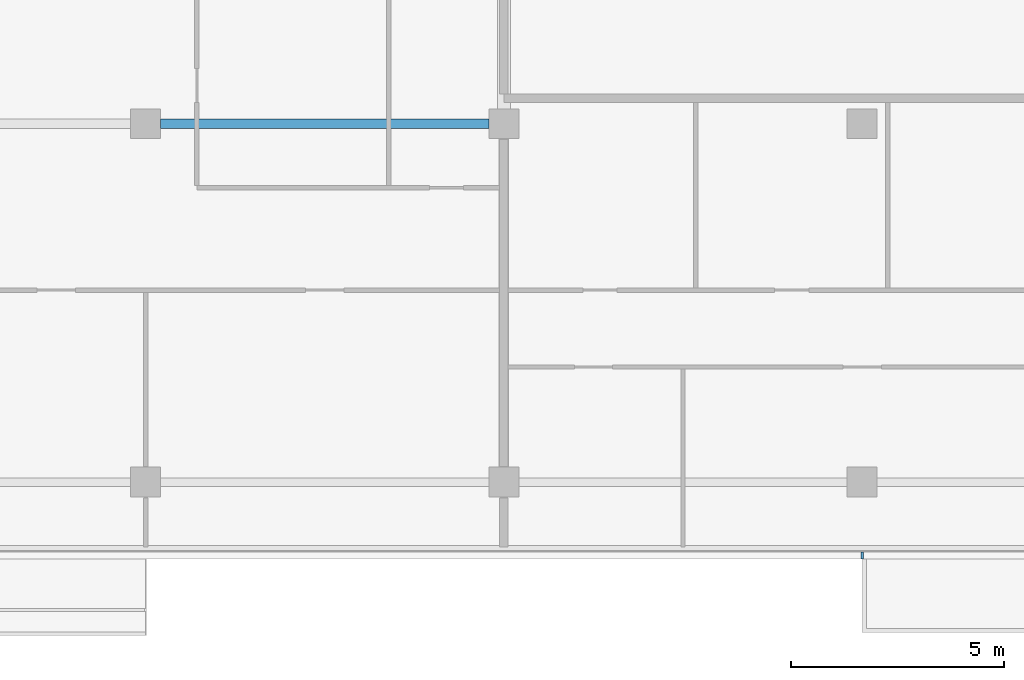
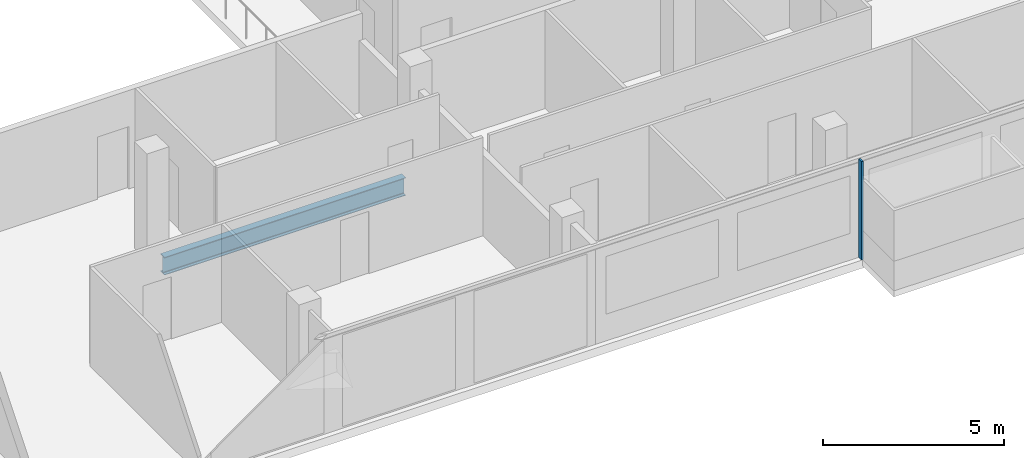
# One storey, part 6 of 28: 1 beam, 1 member, 1 element without a shape of its own.
"""IFC4 building model written with IfcOpenShell, lengths in metres."""

import ifcopenshell
import ifcopenshell.guid

model = None  # the IFC model being written
_history = None  # IfcOwnerHistory: only IFC2X3 demands one
_inside = {}  # id of a spatial element -> (the spatial element, [elements in it])
_under = {}  # id of a project, library or spatial element -> (it, [spatial elements below it])
_declared = {}  # id of a project -> (the project, [libraries it declares])
_typed = {}  # id of a type object -> (the type object, [elements of that type])
_made_of = {}  # id of a material, layer set ... -> (it, [elements and type objects made of it])


def new_model(schema):
    """Start an empty IFC model of exactly this schema.

    Asked for "IFC4X3", IfcOpenShell would pick the latest addendum, in which some entities
    have other attributes; the version numbers below select the first issue.
    IFC2X3 requires an IfcOwnerHistory on every rooted entity: one is made here for all.
    """
    global model, _history
    if schema == "IFC4X3":
        model = ifcopenshell.file(schema_version=(4, 3, 0, 0))
    else:
        model = ifcopenshell.file(schema=schema)
    _inside.clear()
    _under.clear()
    _declared.clear()
    _typed.clear()
    _made_of.clear()
    _history = None
    if model.schema == "IFC2X3":
        org = make("IfcOrganization", Name="unknown")
        user = make(
            "IfcPersonAndOrganization",
            ThePerson=make("IfcPerson", FamilyName="unknown"),
            TheOrganization=org,
        )
        app = make(
            "IfcApplication",
            ApplicationDeveloper=org,
            Version="unknown",
            ApplicationFullName="unknown",
            ApplicationIdentifier="unknown",
        )
        _history = make(
            "IfcOwnerHistory",
            OwningUser=user,
            OwningApplication=app,
            ChangeAction="ADDED",
            CreationDate=0,
        )
    return model


def make(cls, **values):
    """One entity of the class cls with the attributes given. An attribute that is None is left unset."""
    return model.create_entity(
        cls, **{name: value for name, value in values.items() if value is not None}
    )


def rooted(cls, **values):
    """An entity with a GlobalId (a new one), such as an element, a storey or a relation."""
    return make(cls, GlobalId=ifcopenshell.guid.new(), OwnerHistory=_history, **values)


def si_unit(unit_type, name, prefix=None):
    """IfcSIUnit, for example si_unit("LENGTHUNIT", "METRE", prefix="MILLI")."""
    return make("IfcSIUnit", UnitType=unit_type, Prefix=prefix, Name=name)


def assignment(units):
    """IfcUnitAssignment: the units of a project."""
    return None if units is None else make("IfcUnitAssignment", Units=units)


def point(xyz):
    """IfcCartesianPoint."""
    return None if xyz is None else make("IfcCartesianPoint", Coordinates=xyz)


def direction(xyz):
    """IfcDirection."""
    return None if xyz is None else make("IfcDirection", DirectionRatios=xyz)


def frame(location, z_axis=None, x_axis=None):
    """IfcAxis2Placement3D, a coordinate frame: its origin and axes. An axis left out is left unset."""
    return make(
        "IfcAxis2Placement3D",
        Location=point(location),
        Axis=direction(z_axis),
        RefDirection=direction(x_axis),
    )


def frame_2d(location, x_axis=None):
    """IfcAxis2Placement2D, a coordinate frame in the plane: its origin and x axis."""
    return make(
        "IfcAxis2Placement2D", Location=point(location), RefDirection=direction(x_axis)
    )


def origin():
    """The frame at (0, 0, 0) with its axes left unset."""
    return frame((0.0, 0.0, 0.0))


def origin_2d():
    """The frame at (0, 0) in the plane with its x axis left unset."""
    return frame_2d((0.0, 0.0))


def place(relative_to, where):
    """IfcLocalPlacement: puts the frame where relative to a parent placement (None: the world)."""
    return make(
        "IfcLocalPlacement", PlacementRelTo=relative_to, RelativePlacement=where
    )


def context(
    kind, dimensions, precision=None, world=None, true_north=None, identifier=None
):
    """IfcGeometricRepresentationContext, for example the 3D "Model" context."""
    return make(
        "IfcGeometricRepresentationContext",
        ContextIdentifier=identifier,
        ContextType=kind,
        CoordinateSpaceDimension=dimensions,
        Precision=precision,
        WorldCoordinateSystem=world,
        TrueNorth=true_north,
    )


def subcontext(parent, identifier, kind, view, scale=None):
    """IfcGeometricRepresentationSubContext, for example "Body" below "Model"."""
    return make(
        "IfcGeometricRepresentationSubContext",
        ContextIdentifier=identifier,
        ContextType=kind,
        ParentContext=parent,
        TargetScale=scale,
        TargetView=view,
    )


def project(units=None, contexts=None):
    """IfcProject with its units and contexts."""
    return rooted(
        "IfcProject",
        Name="project",
        RepresentationContexts=contexts,
        UnitsInContext=assignment(units),
    )


def spatial(cls, under=None, at=None, **own):
    """A site, building, storey or space (cls), placed at a placement, below another one or the project."""
    s = rooted(cls, ObjectPlacement=at, **own)
    if under is not None:
        _under.setdefault(under.id(), (under, []))[1].append(s)
    return s


def profile(cls, at=None, kind="AREA", **sizes):
    """A parametric profile (cls). Its sizes go by their IFC names, for example OverallWidth=200.0."""
    return make(cls, ProfileType=kind, Position=at, **sizes)


def rectangle(**sizes):
    """IfcRectangleProfileDef."""
    return profile("IfcRectangleProfileDef", **sizes)


def i_section(**sizes):
    """IfcIShapeProfileDef."""
    return profile("IfcIShapeProfileDef", **sizes)


def extrude(swept, where, along, depth):
    """IfcExtrudedAreaSolid: the profile swept, set in the frame where, extruded along a direction by depth."""
    return make(
        "IfcExtrudedAreaSolid",
        SweptArea=swept,
        Position=where,
        ExtrudedDirection=direction(along),
        Depth=depth,
    )


def shape(context_of_items, identifier, shape_type, items):
    """IfcShapeRepresentation: the items that make up one representation, for example the "Body"."""
    return make(
        "IfcShapeRepresentation",
        ContextOfItems=context_of_items,
        RepresentationIdentifier=identifier,
        RepresentationType=shape_type,
        Items=items,
    )


def material(Name=None, Category=None):
    """IfcMaterial."""
    return make("IfcMaterial", Name=Name, Category=Category)


def material_profile(
    of_material, cross_section, Name=None, Category=None, Priority=None
):
    """IfcMaterialProfile: a cross section and its material."""
    return make(
        "IfcMaterialProfile",
        Name=Name,
        Material=of_material,
        Profile=cross_section,
        Priority=Priority,
        Category=Category,
    )


def profile_set(profiles, Name=None, composite=None):
    """IfcMaterialProfileSet."""
    return make(
        "IfcMaterialProfileSet",
        Name=Name,
        MaterialProfiles=profiles,
        CompositeProfile=composite,
    )


def made_of(thing, what):
    """Note that an element or type object is made of a material, layer set ...; save() writes the relation."""
    if what is not None:
        _made_of.setdefault(what.id(), (what, []))[1].append(thing)
    return thing


def type_object(cls, material=None, **own):
    """A type object (cls), such as IfcWallType, which elements share."""
    return made_of(rooted(cls, **own), material)


def element(
    cls,
    number,
    at=None,
    inside=None,
    cuts=None,
    type_object=None,
    material=None,
    context=None,
    identifier="Body",
    shape_type=None,
    held_by="IfcProductDefinitionShape",
    body=None,
    shapes=None,
    **own,
):
    """One element of the class cls, such as IfcWall. Its Tag is "e" and its number.

    at: its placement. inside: the storey or other place that contains it. cuts: it is an
    opening in that element (IfcRelVoidsElement). A single representation is given by context,
    identifier, shape_type and body (its items); several are given by shapes. held_by: the class
    of the entity that holds the representations. save() writes the other relations.
    """
    e = rooted(cls, Tag="e%d" % number, ObjectPlacement=at, **own)
    if body is not None:
        shapes = [shape(context, identifier, shape_type, body)]
    if shapes is not None:
        e.Representation = make(held_by, Representations=shapes)
    if inside is not None:
        _inside.setdefault(inside.id(), (inside, []))[1].append(e)
    if cuts is not None:
        rooted(
            "IfcRelVoidsElement", RelatingBuildingElement=cuts, RelatedOpeningElement=e
        )
    if type_object is not None:
        _typed.setdefault(type_object.id(), (type_object, []))[1].append(e)
    return made_of(e, material)


def aggregate(whole, parts):
    """IfcRelAggregates: a whole, such as a stair, and the parts it consists of."""
    return rooted("IfcRelAggregates", RelatingObject=whole, RelatedObjects=parts)


def save(model, path):
    """Write the relations noted so far, then the file.

    IfcRelAggregates (storeys below a building ...), IfcRelContainedInSpatialStructure (elements
    in a storey), IfcRelDefinesByType, IfcRelAssociatesMaterial and IfcRelDeclares: one each for
    every whole, place, type object, material and project.
    """
    for whole, parts in _under.values():
        aggregate(whole, parts)
    for where, things in _inside.values():
        rooted(
            "IfcRelContainedInSpatialStructure",
            RelatedElements=things,
            RelatingStructure=where,
        )
    for kind, things in _typed.values():
        rooted("IfcRelDefinesByType", RelatedObjects=things, RelatingType=kind)
    for what, things in _made_of.values():
        rooted("IfcRelAssociatesMaterial", RelatedObjects=things, RelatingMaterial=what)
    for by, libraries in _declared.values():
        rooted("IfcRelDeclares", RelatingContext=by, RelatedDefinitions=libraries)
    model.write(path)


model = new_model("IFC4")

# Units and contexts
model_context = context("Model", 3, precision=1e-05, world=origin(), true_north=direction((0.0, 1.0)))
body_context = subcontext(model_context, "Body", "Model", "MODEL_VIEW")
ifc_project = project(units=[si_unit("LENGTHUNIT", "METRE"), si_unit("AREAUNIT", "SQUARE_METRE"), si_unit("VOLUMEUNIT", "CUBIC_METRE"), si_unit("PLANEANGLEUNIT", "RADIAN"), si_unit("MASSUNIT", "GRAM", prefix="KILO")], contexts=[model_context])

# Site, building, storey
site_placement = place(None, origin())
site = spatial("IfcSite", under=ifc_project, at=site_placement, CompositionType="ELEMENT")
building_placement = place(site_placement, origin())
building = spatial("IfcBuilding", under=site, at=building_placement, Name="Saffron Gate Tower", CompositionType="ELEMENT")
storey_placement = place(building_placement, frame((0.0, 0.0, 151.050048828125)))
storey = spatial("IfcBuildingStorey", under=building, at=storey_placement, Name="L36", CompositionType="ELEMENT", Elevation=151.050048828125)

# Beam
ifc_material_1 = material(Name="Structural steel S355", Category="steel")
ifc_material_profile_1 = material_profile(ifc_material_1, i_section(OverallWidth=0.219970703125, OverallDepth=0.60009765625, WebThickness=0.011962890625, FlangeThickness=0.01904296875, FilletRadius=0.02392578125, at=origin_2d()))
ifc_profile_set_1 = profile_set([ifc_material_profile_1], Name="Structural steel S355")
beam_type = type_object("IfcBeamType", Name="B15 IPE 600", PredefinedType="BEAM", material=ifc_profile_set_1)
beam_placement = place(storey_placement, frame((92.14990234375, 40.199951171875, -0.580078125), z_axis=(1.0, 0.0, 0.0), x_axis=(0.0, 1.0, 0.0)))
element("IfcBeam", 1, at=beam_placement, inside=storey, type_object=beam_type, Name="B15 FLOOR GIRDER", PredefinedType="BEAM", context=body_context, shape_type="SweptSolid", body=[
    extrude(i_section(OverallWidth=0.219970703125, OverallDepth=0.60009765625, WebThickness=0.011962890625, FlangeThickness=0.01904296875, FilletRadius=0.02392578125, at=origin_2d()), origin(), (0.0, 0.0, 1.0), 7.7001953125),
])

# Curtain wall, member
ifc_material_2 = material(Name="Aluminium, bronze anodised", Category="aluminium")
curtain_wall_type = type_object("IfcCurtainWallType", Name="CWS1 curtain wall front facade", PredefinedType="NOTDEFINED", material=ifc_material_2)
curtain_wall_placement = place(storey_placement, origin())
curtain_wall = element("IfcCurtainWall", 2, at=curtain_wall_placement, inside=storey, type_object=curtain_wall_type, Name="CWS1 run 1", PredefinedType="NOTDEFINED")
ifc_material_profile_2 = material_profile(ifc_material_2, rectangle(XDim=0.159912109375, YDim=0.06005859375, at=origin_2d()))
ifc_profile_set_2 = profile_set([ifc_material_profile_2], Name="Aluminium, bronze anodised")
member_type = type_object("IfcMemberType", Name="CWS1 mullion 60x160", PredefinedType="MULLION", material=ifc_profile_set_2)
member_placement = place(storey_placement, frame((108.60009765625, 30.080078125, 0.0), z_axis=(0.0, 0.0, 1.0), x_axis=(0.0, 1.0, 0.0)))
member = element("IfcMember", 3, at=member_placement, type_object=member_type, Name="CWS1 mullion 8", PredefinedType="MULLION", context=body_context, shape_type="SweptSolid", body=[
    extrude(rectangle(XDim=0.159912109375, YDim=0.06005859375, at=origin_2d()), origin(), (0.0, 0.0, 1.0), 3.320068359375),
])
aggregate(curtain_wall, [member])

save(model, "model.ifc")
